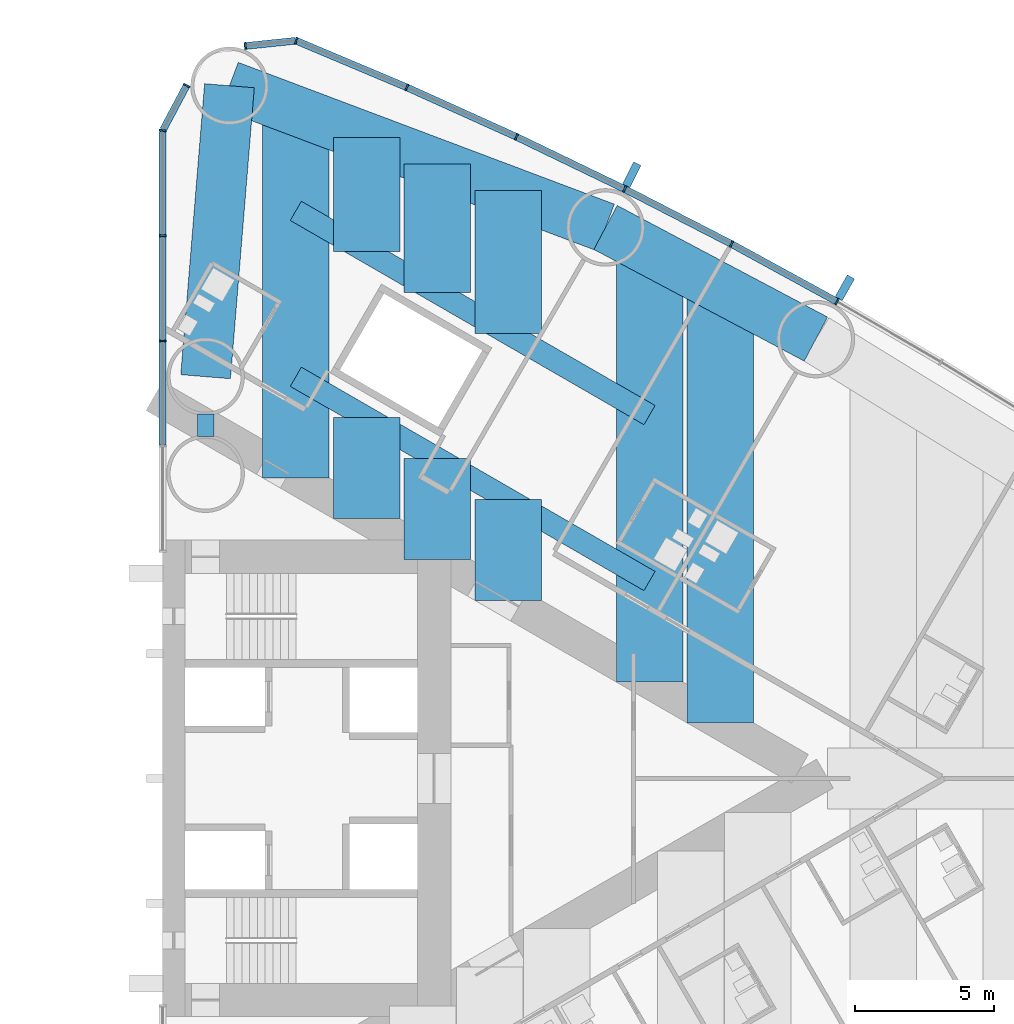
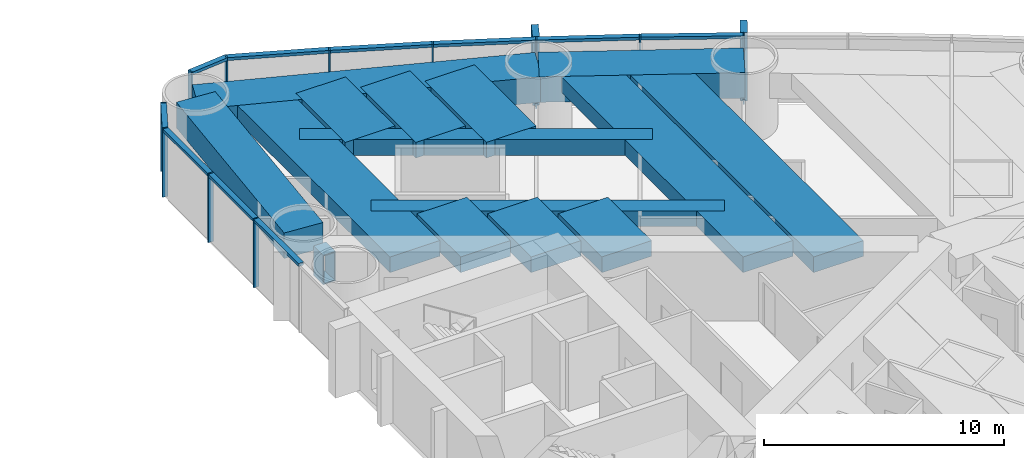
# One storey, part 7 of 19: 23 members, 15 beams, 2 elements without a shape of their own.
"""IFC4 building model written with IfcOpenShell, lengths in metres."""

import ifcopenshell
import ifcopenshell.guid

model = None  # the IFC model being written
_history = None  # IfcOwnerHistory: only IFC2X3 demands one
_inside = {}  # id of a spatial element -> (the spatial element, [elements in it])
_under = {}  # id of a project, library or spatial element -> (it, [spatial elements below it])
_declared = {}  # id of a project -> (the project, [libraries it declares])
_typed = {}  # id of a type object -> (the type object, [elements of that type])
_made_of = {}  # id of a material, layer set ... -> (it, [elements and type objects made of it])


def new_model(schema):
    """Start an empty IFC model of exactly this schema.

    Asked for "IFC4X3", IfcOpenShell would pick the latest addendum, in which some entities
    have other attributes; the version numbers below select the first issue.
    IFC2X3 requires an IfcOwnerHistory on every rooted entity: one is made here for all.
    """
    global model, _history
    if schema == "IFC4X3":
        model = ifcopenshell.file(schema_version=(4, 3, 0, 0))
    else:
        model = ifcopenshell.file(schema=schema)
    _inside.clear()
    _under.clear()
    _declared.clear()
    _typed.clear()
    _made_of.clear()
    _history = None
    if model.schema == "IFC2X3":
        org = make("IfcOrganization", Name="unknown")
        user = make(
            "IfcPersonAndOrganization",
            ThePerson=make("IfcPerson", FamilyName="unknown"),
            TheOrganization=org,
        )
        app = make(
            "IfcApplication",
            ApplicationDeveloper=org,
            Version="unknown",
            ApplicationFullName="unknown",
            ApplicationIdentifier="unknown",
        )
        _history = make(
            "IfcOwnerHistory",
            OwningUser=user,
            OwningApplication=app,
            ChangeAction="ADDED",
            CreationDate=0,
        )
    return model


def make(cls, **values):
    """One entity of the class cls with the attributes given. An attribute that is None is left unset."""
    return model.create_entity(
        cls, **{name: value for name, value in values.items() if value is not None}
    )


def rooted(cls, **values):
    """An entity with a GlobalId (a new one), such as an element, a storey or a relation."""
    return make(cls, GlobalId=ifcopenshell.guid.new(), OwnerHistory=_history, **values)


def si_unit(unit_type, name, prefix=None):
    """IfcSIUnit, for example si_unit("LENGTHUNIT", "METRE", prefix="MILLI")."""
    return make("IfcSIUnit", UnitType=unit_type, Prefix=prefix, Name=name)


def assignment(units):
    """IfcUnitAssignment: the units of a project."""
    return None if units is None else make("IfcUnitAssignment", Units=units)


def point(xyz):
    """IfcCartesianPoint."""
    return None if xyz is None else make("IfcCartesianPoint", Coordinates=xyz)


def direction(xyz):
    """IfcDirection."""
    return None if xyz is None else make("IfcDirection", DirectionRatios=xyz)


def frame(location, z_axis=None, x_axis=None):
    """IfcAxis2Placement3D, a coordinate frame: its origin and axes. An axis left out is left unset."""
    return make(
        "IfcAxis2Placement3D",
        Location=point(location),
        Axis=direction(z_axis),
        RefDirection=direction(x_axis),
    )


def frame_2d(location, x_axis=None):
    """IfcAxis2Placement2D, a coordinate frame in the plane: its origin and x axis."""
    return make(
        "IfcAxis2Placement2D", Location=point(location), RefDirection=direction(x_axis)
    )


def origin():
    """The frame at (0, 0, 0) with its axes left unset."""
    return frame((0.0, 0.0, 0.0))


def origin_2d():
    """The frame at (0, 0) in the plane with its x axis left unset."""
    return frame_2d((0.0, 0.0))


def place(relative_to, where):
    """IfcLocalPlacement: puts the frame where relative to a parent placement (None: the world)."""
    return make(
        "IfcLocalPlacement", PlacementRelTo=relative_to, RelativePlacement=where
    )


def context(
    kind, dimensions, precision=None, world=None, true_north=None, identifier=None
):
    """IfcGeometricRepresentationContext, for example the 3D "Model" context."""
    return make(
        "IfcGeometricRepresentationContext",
        ContextIdentifier=identifier,
        ContextType=kind,
        CoordinateSpaceDimension=dimensions,
        Precision=precision,
        WorldCoordinateSystem=world,
        TrueNorth=true_north,
    )


def subcontext(parent, identifier, kind, view, scale=None):
    """IfcGeometricRepresentationSubContext, for example "Body" below "Model"."""
    return make(
        "IfcGeometricRepresentationSubContext",
        ContextIdentifier=identifier,
        ContextType=kind,
        ParentContext=parent,
        TargetScale=scale,
        TargetView=view,
    )


def project(units=None, contexts=None):
    """IfcProject with its units and contexts."""
    return rooted(
        "IfcProject",
        Name="project",
        RepresentationContexts=contexts,
        UnitsInContext=assignment(units),
    )


def spatial(cls, under=None, at=None, **own):
    """A site, building, storey or space (cls), placed at a placement, below another one or the project."""
    s = rooted(cls, ObjectPlacement=at, **own)
    if under is not None:
        _under.setdefault(under.id(), (under, []))[1].append(s)
    return s


def profile(cls, at=None, kind="AREA", **sizes):
    """A parametric profile (cls). Its sizes go by their IFC names, for example OverallWidth=200.0."""
    return make(cls, ProfileType=kind, Position=at, **sizes)


def rectangle(**sizes):
    """IfcRectangleProfileDef."""
    return profile("IfcRectangleProfileDef", **sizes)


def hollow_rectangle(**sizes):
    """IfcRectangleHollowProfileDef."""
    return profile("IfcRectangleHollowProfileDef", **sizes)


def extrude(swept, where, along, depth):
    """IfcExtrudedAreaSolid: the profile swept, set in the frame where, extruded along a direction by depth."""
    return make(
        "IfcExtrudedAreaSolid",
        SweptArea=swept,
        Position=where,
        ExtrudedDirection=direction(along),
        Depth=depth,
    )


def shape(context_of_items, identifier, shape_type, items):
    """IfcShapeRepresentation: the items that make up one representation, for example the "Body"."""
    return make(
        "IfcShapeRepresentation",
        ContextOfItems=context_of_items,
        RepresentationIdentifier=identifier,
        RepresentationType=shape_type,
        Items=items,
    )


def material(Name=None, Category=None):
    """IfcMaterial."""
    return make("IfcMaterial", Name=Name, Category=Category)


def material_profile(
    of_material, cross_section, Name=None, Category=None, Priority=None
):
    """IfcMaterialProfile: a cross section and its material."""
    return make(
        "IfcMaterialProfile",
        Name=Name,
        Material=of_material,
        Profile=cross_section,
        Priority=Priority,
        Category=Category,
    )


def profile_set(profiles, Name=None, composite=None):
    """IfcMaterialProfileSet."""
    return make(
        "IfcMaterialProfileSet",
        Name=Name,
        MaterialProfiles=profiles,
        CompositeProfile=composite,
    )


def made_of(thing, what):
    """Note that an element or type object is made of a material, layer set ...; save() writes the relation."""
    if what is not None:
        _made_of.setdefault(what.id(), (what, []))[1].append(thing)
    return thing


def type_object(cls, material=None, **own):
    """A type object (cls), such as IfcWallType, which elements share."""
    return made_of(rooted(cls, **own), material)


def element(
    cls,
    number,
    at=None,
    inside=None,
    cuts=None,
    type_object=None,
    material=None,
    context=None,
    identifier="Body",
    shape_type=None,
    held_by="IfcProductDefinitionShape",
    body=None,
    shapes=None,
    **own,
):
    """One element of the class cls, such as IfcWall. Its Tag is "e" and its number.

    at: its placement. inside: the storey or other place that contains it. cuts: it is an
    opening in that element (IfcRelVoidsElement). A single representation is given by context,
    identifier, shape_type and body (its items); several are given by shapes. held_by: the class
    of the entity that holds the representations. save() writes the other relations.
    """
    e = rooted(cls, Tag="e%d" % number, ObjectPlacement=at, **own)
    if body is not None:
        shapes = [shape(context, identifier, shape_type, body)]
    if shapes is not None:
        e.Representation = make(held_by, Representations=shapes)
    if inside is not None:
        _inside.setdefault(inside.id(), (inside, []))[1].append(e)
    if cuts is not None:
        rooted(
            "IfcRelVoidsElement", RelatingBuildingElement=cuts, RelatedOpeningElement=e
        )
    if type_object is not None:
        _typed.setdefault(type_object.id(), (type_object, []))[1].append(e)
    return made_of(e, material)


def aggregate(whole, parts):
    """IfcRelAggregates: a whole, such as a stair, and the parts it consists of."""
    return rooted("IfcRelAggregates", RelatingObject=whole, RelatedObjects=parts)


def save(model, path):
    """Write the relations noted so far, then the file.

    IfcRelAggregates (storeys below a building ...), IfcRelContainedInSpatialStructure (elements
    in a storey), IfcRelDefinesByType, IfcRelAssociatesMaterial and IfcRelDeclares: one each for
    every whole, place, type object, material and project.
    """
    for whole, parts in _under.values():
        aggregate(whole, parts)
    for where, things in _inside.values():
        rooted(
            "IfcRelContainedInSpatialStructure",
            RelatedElements=things,
            RelatingStructure=where,
        )
    for kind, things in _typed.values():
        rooted("IfcRelDefinesByType", RelatedObjects=things, RelatingType=kind)
    for what, things in _made_of.values():
        rooted("IfcRelAssociatesMaterial", RelatedObjects=things, RelatingMaterial=what)
    for by, libraries in _declared.values():
        rooted("IfcRelDeclares", RelatingContext=by, RelatedDefinitions=libraries)
    model.write(path)


model = new_model("IFC4")

# Units and contexts
model_context = context("Model", 3, precision=1e-05, world=origin(), true_north=direction((0.0, 1.0)))
body_context = subcontext(model_context, "Body", "Model", "MODEL_VIEW")
ifc_project = project(units=[si_unit("LENGTHUNIT", "METRE"), si_unit("AREAUNIT", "SQUARE_METRE"), si_unit("VOLUMEUNIT", "CUBIC_METRE"), si_unit("PLANEANGLEUNIT", "RADIAN"), si_unit("MASSUNIT", "GRAM", prefix="KILO")], contexts=[model_context])

# Site, building, storey
site_placement = place(None, origin())
site = spatial("IfcSite", under=ifc_project, at=site_placement, CompositionType="ELEMENT")
building_placement = place(site_placement, origin())
building = spatial("IfcBuilding", under=site, at=building_placement, Name="Lancet Gate Hotel", CompositionType="ELEMENT")
storey_placement = place(building_placement, frame((0.0, 0.0, 67.0)))
storey = spatial("IfcBuildingStorey", under=building, at=storey_placement, Name="L17", CompositionType="ELEMENT", Elevation=67.0)

# Curtain wall, members
ifc_material_1 = material(Name="Aluminium curtain wall", Category="aluminium")
curtain_wall_type = type_object("IfcCurtainWallType", Name="Tower unitised curtain wall", PredefinedType="USERDEFINED", material=ifc_material_1)
curtain_wall_1_placement = place(storey_placement, origin())
curtain_wall_1 = element("IfcCurtainWall", 1, at=curtain_wall_1_placement, inside=storey, type_object=curtain_wall_type, Name="T2 L17 curtain wall 3", ObjectType="UNITISED CURTAIN WALL", PredefinedType="USERDEFINED")
ifc_material_2 = material(Name="Aluminium mullion", Category="aluminium")
ifc_material_profile_1 = material_profile(ifc_material_2, rectangle(XDim=0.06494140625, YDim=0.25, at=origin_2d()), Name="MULLION 65x250")
ifc_profile_set_1 = profile_set([ifc_material_profile_1], Name="Aluminium mullion")
member_type_1 = type_object("IfcMemberType", Name="Aluminium mullion 65x250", PredefinedType="MULLION", material=ifc_profile_set_1)
member_1_placement = place(storey_placement, frame((51.838623046875, 17.208740234375, 0.0), z_axis=(0.0, 0.0, 1.0), x_axis=(-0.871190450382, 0.490945209941, 0.0)))
member_1 = element("IfcMember", 2, at=member_1_placement, type_object=member_type_1, Name="T2 L17 curtain wall 3 mullion 8", PredefinedType="MULLION", context=body_context, shape_type="SweptSolid", body=[
    extrude(rectangle(XDim=0.06494140625, YDim=0.25, at=origin_2d()), origin(), (0.0, 0.0, 1.0), 3.5),
])
member_2_placement = place(storey_placement, frame((48.03271484375, 19.2900390625, 0.0), z_axis=(0.0, 0.0, 1.0), x_axis=(-0.88340346743, 0.468613181347, 0.0)))
member_2 = element("IfcMember", 3, at=member_2_placement, type_object=member_type_1, Name="T2 L17 curtain wall 3 mullion 9", PredefinedType="MULLION", context=body_context, shape_type="SweptSolid", body=[
    extrude(rectangle(XDim=0.06494140625, YDim=0.25, at=origin_2d()), origin(), (0.0, 0.0, 1.0), 3.5),
])
member_3_placement = place(storey_placement, frame((44.17529296875, 21.273681640625, 0.0), z_axis=(0.0, 0.0, 1.0), x_axis=(-0.895044147438, 0.445977548917, 0.0)))
member_3 = element("IfcMember", 4, at=member_3_placement, type_object=member_type_1, Name="T2 L17 curtain wall 3 mullion 10", PredefinedType="MULLION", context=body_context, shape_type="SweptSolid", body=[
    extrude(rectangle(XDim=0.06494140625, YDim=0.25, at=origin_2d()), origin(), (0.0, 0.0, 1.0), 3.5),
])
member_4_placement = place(storey_placement, frame((40.2685546875, 23.15869140625, 0.0), z_axis=(0.0, 0.0, 1.0), x_axis=(-0.906104948671, 0.423052977762, 0.0)))
member_4 = element("IfcMember", 5, at=member_4_placement, type_object=member_type_1, Name="T2 L17 curtain wall 3 mullion 11", PredefinedType="MULLION", context=body_context, shape_type="SweptSolid", body=[
    extrude(rectangle(XDim=0.06494140625, YDim=0.25, at=origin_2d()), origin(), (0.0, 0.0, 1.0), 3.5),
])
member_5_placement = place(storey_placement, frame((36.31494140625, 24.943603515625, 0.0), z_axis=(0.0, 0.0, 1.0), x_axis=(-0.916578705089, 0.399854320193, 0.0)))
member_5 = element("IfcMember", 6, at=member_5_placement, type_object=member_type_1, Name="T2 L17 curtain wall 3 mullion 12", PredefinedType="MULLION", context=body_context, shape_type="SweptSolid", body=[
    extrude(rectangle(XDim=0.06494140625, YDim=0.25, at=origin_2d()), origin(), (0.0, 0.0, 1.0), 3.5),
])
member_6_placement = place(storey_placement, frame((32.3173828125, 26.62744140625, 0.0), z_axis=(0.0, 0.0, 1.0), x_axis=(-0.968721492963, 0.248150496819, 0.0)))
member_6 = element("IfcMember", 7, at=member_6_placement, type_object=member_type_1, Name="T2 L17 curtain wall 3 mullion 13", PredefinedType="MULLION", context=body_context, shape_type="SweptSolid", body=[
    extrude(rectangle(XDim=0.06494140625, YDim=0.25, at=origin_2d()), origin(), (0.0, 0.0, 1.0), 3.5),
])
member_7_placement = place(storey_placement, frame((30.48388671875, 26.4375, 0.0), z_axis=(0.0, 0.0, 1.0), x_axis=(-0.994672262412, -0.10308778001, 0.0)))
member_7 = element("IfcMember", 8, at=member_7_placement, type_object=member_type_1, Name="T2 L17 curtain wall 3 mullion 14", PredefinedType="MULLION", context=body_context, shape_type="SweptSolid", body=[
    extrude(rectangle(XDim=0.06494140625, YDim=0.25, at=origin_2d()), origin(), (0.0, 0.0, 1.0), 3.5),
])

curtain_wall_2_placement = place(storey_placement, origin())
curtain_wall_2 = element("IfcCurtainWall", 9, at=curtain_wall_2_placement, inside=storey, type_object=curtain_wall_type, Name="T2 L17 curtain wall 4", ObjectType="UNITISED CURTAIN WALL", PredefinedType="USERDEFINED")
member_8_placement = place(storey_placement, frame((28.366455078125, 25.012451171875, 0.0), z_axis=(0.0, 0.0, 1.0), x_axis=(-0.469897827284, -0.882720811987, 0.0)))
member_8 = element("IfcMember", 10, at=member_8_placement, type_object=member_type_1, Name="T2 L17 curtain wall 4 mullion 1", PredefinedType="MULLION", context=body_context, shape_type="SweptSolid", body=[
    extrude(rectangle(XDim=0.06494140625, YDim=0.25, at=origin_2d()), origin(), (0.0, 0.0, 1.0), 3.5),
])
member_9_placement = place(storey_placement, frame((27.5, 23.384765625, 0.0), z_axis=(0.0, 0.0, 1.0), x_axis=(-0.157751691459, -0.987478811844, 0.0)))
member_9 = element("IfcMember", 11, at=member_9_placement, type_object=member_type_1, Name="T2 L17 curtain wall 4 mullion 2", PredefinedType="MULLION", context=body_context, shape_type="SweptSolid", body=[
    extrude(rectangle(XDim=0.06494140625, YDim=0.25, at=origin_2d()), origin(), (0.0, 0.0, 1.0), 3.5),
])
member_10_placement = place(storey_placement, frame((27.5, 19.588623046875, 0.0), z_axis=(0.0, 0.0, 1.0), x_axis=(0.0, -1.0, 0.0)))
member_10 = element("IfcMember", 12, at=member_10_placement, type_object=member_type_1, Name="T2 L17 curtain wall 4 mullion 3", PredefinedType="MULLION", context=body_context, shape_type="SweptSolid", body=[
    extrude(rectangle(XDim=0.06494140625, YDim=0.25, at=origin_2d()), origin(), (0.0, 0.0, 1.0), 3.5),
])
member_11_placement = place(storey_placement, frame((27.5, 15.79248046875, 0.0), z_axis=(0.0, 0.0, 1.0), x_axis=(0.0, -1.0, 0.0)))
member_11 = element("IfcMember", 13, at=member_11_placement, type_object=member_type_1, Name="T2 L17 curtain wall 4 mullion 4", PredefinedType="MULLION", context=body_context, shape_type="SweptSolid", body=[
    extrude(rectangle(XDim=0.06494140625, YDim=0.25, at=origin_2d()), origin(), (0.0, 0.0, 1.0), 3.5),
])

# Member
ifc_material_3 = material(Name="Aluminium transom", Category="aluminium")
ifc_material_profile_2 = material_profile(ifc_material_3, rectangle(XDim=0.25, YDim=0.14990234375, at=origin_2d()), Name="TRANSOM 250x150")
ifc_profile_set_2 = profile_set([ifc_material_profile_2], Name="Aluminium transom")
member_type_2 = type_object("IfcMemberType", Name="Aluminium transom 250x150", PredefinedType="USERDEFINED", material=ifc_profile_set_2)
member_12_placement = place(storey_placement, frame((51.81005859375, 17.224365234375, 3.425048828125), z_axis=(-0.877377528879, 0.479800658417, 0.0), x_axis=(-0.479800658417, -0.877377528879, 0.0)))
member_12 = element("IfcMember", 14, at=member_12_placement, type_object=member_type_2, Name="T2 L17 curtain wall 3 transom 8", ObjectType="TRANSOM", PredefinedType="USERDEFINED", context=body_context, shape_type="SweptSolid", body=[
    extrude(rectangle(XDim=0.25, YDim=0.14990234375, at=origin_2d()), origin(), (0.0, 0.0, 1.0), 4.272705078125),
])

member_13_placement = place(storey_placement, frame((48.00390625, 19.304931640625, 3.425048828125), z_axis=(-0.88929576978, 0.457332520002, 0.0), x_axis=(-0.457332520002, -0.88929576978, 0.0)))
member_13 = element("IfcMember", 15, at=member_13_placement, type_object=member_type_2, Name="T2 L17 curtain wall 3 transom 9", ObjectType="TRANSOM", PredefinedType="USERDEFINED", context=body_context, shape_type="SweptSolid", body=[
    extrude(rectangle(XDim=0.25, YDim=0.14990234375, at=origin_2d()), origin(), (0.0, 0.0, 1.0), 4.272705078125),
])

member_14_placement = place(storey_placement, frame((44.14599609375, 21.287841796875, 3.425048828125), z_axis=(-0.900646499888, 0.434552508035, 0.0), x_axis=(-0.434552508035, -0.900646499888, 0.0)))
member_14 = element("IfcMember", 16, at=member_14_placement, type_object=member_type_2, Name="T2 L17 curtain wall 3 transom 10", ObjectType="TRANSOM", PredefinedType="USERDEFINED", context=body_context, shape_type="SweptSolid", body=[
    extrude(rectangle(XDim=0.25, YDim=0.14990234375, at=origin_2d()), origin(), (0.0, 0.0, 1.0), 4.272705078125),
])

member_15_placement = place(storey_placement, frame((40.23876953125, 23.172119140625, 3.425048828125), z_axis=(-0.911396871737, 0.411528543589, 0.0), x_axis=(-0.411528543589, -0.911396871737, 0.0)))
member_15 = element("IfcMember", 17, at=member_15_placement, type_object=member_type_2, Name="T2 L17 curtain wall 3 transom 11", ObjectType="TRANSOM", PredefinedType="USERDEFINED", context=body_context, shape_type="SweptSolid", body=[
    extrude(rectangle(XDim=0.25, YDim=0.14990234375, at=origin_2d()), origin(), (0.0, 0.0, 1.0), 4.272705078125),
])

member_16_placement = place(storey_placement, frame((36.28515625, 24.956298828125, 3.425048828125), z_axis=(-0.92159772617, 0.388146404233, 0.0), x_axis=(-0.388146404233, -0.92159772617, 0.0)))
member_16 = element("IfcMember", 18, at=member_16_placement, type_object=member_type_2, Name="T2 L17 curtain wall 3 transom 12", ObjectType="TRANSOM", PredefinedType="USERDEFINED", context=body_context, shape_type="SweptSolid", body=[
    extrude(rectangle(XDim=0.25, YDim=0.14990234375, at=origin_2d()), origin(), (0.0, 0.0, 1.0), 4.272705078125),
])

member_17_placement = place(storey_placement, frame((32.28515625, 26.6240234375, 3.425048828125), z_axis=(-0.994670452051, -0.103105246306, 0.0), x_axis=(0.103105246306, -0.994670452051, 0.0)))
member_17 = element("IfcMember", 19, at=member_17_placement, type_object=member_type_2, Name="T2 L17 curtain wall 3 transom 13", ObjectType="TRANSOM", PredefinedType="USERDEFINED", context=body_context, shape_type="SweptSolid", body=[
    extrude(rectangle(XDim=0.25, YDim=0.14990234375, at=origin_2d()), origin(), (0.0, 0.0, 1.0), 1.7783203125),
])

member_18_placement = place(storey_placement, frame((28.351318359375, 24.98388671875, 3.425048828125), z_axis=(-0.469904276347, -0.882717378933, 0.0), x_axis=(0.882717378933, -0.469904276347, 0.0)))
member_18 = element("IfcMember", 20, at=member_18_placement, type_object=member_type_2, Name="T2 L17 curtain wall 4 transom 1", ObjectType="TRANSOM", PredefinedType="USERDEFINED", context=body_context, shape_type="SweptSolid", body=[
    extrude(rectangle(XDim=0.25, YDim=0.14990234375, at=origin_2d()), origin(), (0.0, 0.0, 1.0), 1.779052734375),
])

member_19_placement = place(storey_placement, frame((27.5, 23.352294921875, 3.425048828125), z_axis=(0.0, -1.0, 0.0), x_axis=(1.0, 0.0, 0.0)))
member_19 = element("IfcMember", 21, at=member_19_placement, type_object=member_type_2, Name="T2 L17 curtain wall 4 transom 2", ObjectType="TRANSOM", PredefinedType="USERDEFINED", context=body_context, shape_type="SweptSolid", body=[
    extrude(rectangle(XDim=0.25, YDim=0.14990234375, at=origin_2d()), origin(), (0.0, 0.0, 1.0), 3.731201171875),
])

member_20_placement = place(storey_placement, frame((27.5, 19.55615234375, 3.425048828125), z_axis=(0.0, -1.0, 0.0), x_axis=(1.0, 0.0, 0.0)))
member_20 = element("IfcMember", 22, at=member_20_placement, type_object=member_type_2, Name="T2 L17 curtain wall 4 transom 3", ObjectType="TRANSOM", PredefinedType="USERDEFINED", context=body_context, shape_type="SweptSolid", body=[
    extrude(rectangle(XDim=0.25, YDim=0.14990234375, at=origin_2d()), origin(), (0.0, 0.0, 1.0), 3.731201171875),
])

member_21_placement = place(storey_placement, frame((27.5, 15.760009765625, 3.425048828125), z_axis=(0.0, -1.0, 0.0), x_axis=(1.0, 0.0, 0.0)))
member_21 = element("IfcMember", 23, at=member_21_placement, type_object=member_type_2, Name="T2 L17 curtain wall 4 transom 4", ObjectType="TRANSOM", PredefinedType="USERDEFINED", context=body_context, shape_type="SweptSolid", body=[
    extrude(rectangle(XDim=0.25, YDim=0.14990234375, at=origin_2d()), origin(), (0.0, 0.0, 1.0), 3.731201171875),
])

aggregate(curtain_wall_2, [member_8, member_9, member_10, member_11, member_18, member_19, member_20, member_21])

# Beams
ifc_material_4 = material(Name="Concrete C50/60", Category="concrete")
ifc_material_profile_3 = material_profile(ifc_material_4, rectangle(XDim=1.800048828125, YDim=1.300048828125, at=origin_2d()), Name="RC 1800x1300")
ifc_profile_set_3 = profile_set([ifc_material_profile_3], Name="Concrete C50/60")
beam_type_1 = type_object("IfcBeamType", Name="Edge beam RC 1800x1300", PredefinedType="SPANDREL", material=ifc_profile_set_3)
beam_1_placement = place(storey_placement, frame((51.07763671875, 15.8583984375, 2.60009765625), z_axis=(-0.883403493655, 0.46861313191, 0.0), x_axis=(-0.46861313191, -0.883403493655, 0.0)))
element("IfcBeam", 24, at=beam_1_placement, inside=storey, type_object=beam_type_1, Name="T2 edge beam EB1 L17", PredefinedType="SPANDREL", context=body_context, shape_type="SweptSolid", body=[
    extrude(rectangle(XDim=1.800048828125, YDim=1.300048828125, at=origin_2d()), origin(), (0.0, 0.0, 1.0), 8.595703125),
])
beam_2_placement = place(storey_placement, frame((43.484130859375, 19.886474609375, 2.60009765625), z_axis=(-0.935736448066, 0.352700013836, 0.0), x_axis=(-0.352700013836, -0.935736448066, 0.0)))
element("IfcBeam", 25, at=beam_2_placement, inside=storey, type_object=beam_type_1, Name="T2 edge beam EB1 L17", PredefinedType="SPANDREL", context=body_context, shape_type="SweptSolid", body=[
    extrude(rectangle(XDim=1.800048828125, YDim=1.300048828125, at=origin_2d()), origin(), (0.0, 0.0, 1.0), 14.505126953125),
])
beam_3_placement = place(storey_placement, frame((29.050048828125, 14.5, 2.60009765625), z_axis=(0.081714744052, 0.996655758326, 0.0), x_axis=(-0.996655758326, 0.081714744052, 0.0)))
element("IfcBeam", 26, at=beam_3_placement, inside=storey, type_object=beam_type_1, Name="T2 edge beam EB1 L17", PredefinedType="SPANDREL", context=body_context, shape_type="SweptSolid", body=[
    extrude(rectangle(XDim=1.800048828125, YDim=1.300048828125, at=origin_2d()), origin(), (0.0, 0.0, 1.0), 10.53759765625),
])

# Member
ifc_material_5 = material(Name="Precast concrete C50/60", Category="concrete")
ifc_material_profile_4 = material_profile(ifc_material_5, rectangle(XDim=0.300048828125, YDim=0.89990234375, at=origin_2d()), Name="FIN 300x900")
ifc_profile_set_4 = profile_set([ifc_material_profile_4], Name="Precast concrete C50/60")
member_type_3 = type_object("IfcMemberType", Name="Exposed concrete fin 300x900", PredefinedType="USERDEFINED", material=ifc_profile_set_4)
member_22_placement = place(storey_placement, frame((52.120849609375, 17.709716796875, 0.0), z_axis=(0.0, 0.0, 1.0), x_axis=(-0.871190450382, 0.490945209941, 0.0)))
member_22 = element("IfcMember", 27, at=member_22_placement, type_object=member_type_3, Name="T2 L17 curtain wall 3 fin 8", ObjectType="FIN", PredefinedType="USERDEFINED", context=body_context, shape_type="SweptSolid", body=[
    extrude(rectangle(XDim=0.300048828125, YDim=0.89990234375, at=origin_2d()), origin(), (0.0, 0.0, 1.0), 3.5),
])

member_23_placement = place(storey_placement, frame((44.431640625, 21.788330078125, 0.0), z_axis=(0.0, 0.0, 1.0), x_axis=(-0.895044147438, 0.445977548917, 0.0)))
member_23 = element("IfcMember", 28, at=member_23_placement, type_object=member_type_3, Name="T2 L17 curtain wall 3 fin 10", ObjectType="FIN", PredefinedType="USERDEFINED", context=body_context, shape_type="SweptSolid", body=[
    extrude(rectangle(XDim=0.300048828125, YDim=0.89990234375, at=origin_2d()), origin(), (0.0, 0.0, 1.0), 3.5),
])

aggregate(curtain_wall_1, [member_1, member_22, member_2, member_3, member_23, member_4, member_5, member_6, member_7, member_12, member_13, member_14, member_15, member_16, member_17])

# Beams
ifc_material_6 = material(Name="Concrete C50/60", Category="concrete")
ifc_material_profile_5 = material_profile(ifc_material_6, rectangle(XDim=2.39990234375, YDim=0.800048828125, at=origin_2d()), Name="RC 2400x800")
ifc_profile_set_5 = profile_set([ifc_material_profile_5], Name="Concrete C50/60")
beam_type_2 = type_object("IfcBeamType", Name="Floor beam RC 2400x800", PredefinedType="BEAM", material=ifc_profile_set_5)
beam_4_placement = place(storey_placement, frame((32.306396484375, 10.851806640625, 2.85009765625), z_axis=(0.0, 1.0, 0.0), x_axis=(-1.0, 0.0, 0.0)))
element("IfcBeam", 29, at=beam_4_placement, inside=storey, type_object=beam_type_2, Name="T2 floor beam F04N L17", PredefinedType="BEAM", context=body_context, shape_type="SweptSolid", body=[
    extrude(rectangle(XDim=2.39990234375, YDim=0.800048828125, at=origin_2d()), origin(), (0.0, 0.0, 1.0), 13.247802734375),
])
beam_5_placement = place(storey_placement, frame((45.072265625, 3.4814453125, 2.85009765625), z_axis=(0.0, 1.0, 0.0), x_axis=(-1.0, 0.0, 0.0)))
element("IfcBeam", 30, at=beam_5_placement, inside=storey, type_object=beam_type_2, Name="T2 floor beam F12N L17", PredefinedType="BEAM", context=body_context, shape_type="SweptSolid", body=[
    extrude(rectangle(XDim=2.39990234375, YDim=0.800048828125, at=origin_2d()), origin(), (0.0, 0.0, 1.0), 15.5625),
])
beam_6_placement = place(storey_placement, frame((47.62548828125, 2.00732421875, 2.85009765625), z_axis=(0.0, 1.0, 0.0), x_axis=(-1.0, 0.0, 0.0)))
element("IfcBeam", 31, at=beam_6_placement, inside=storey, type_object=beam_type_2, Name="T2 floor beam F14N L17", PredefinedType="BEAM", context=body_context, shape_type="SweptSolid", body=[
    extrude(rectangle(XDim=2.39990234375, YDim=0.800048828125, at=origin_2d()), origin(), (0.0, 0.0, 1.0), 15.68212890625),
])
beam_7_placement = place(storey_placement, frame((34.859619140625, 9.377685546875, 2.85009765625), z_axis=(0.0, 1.0, 0.0), x_axis=(-1.0, 0.0, 0.0)))
element("IfcBeam", 32, at=beam_7_placement, inside=storey, type_object=beam_type_2, Name="T2 floor beam F06NA L17", PredefinedType="BEAM", context=body_context, shape_type="SweptSolid", body=[
    extrude(rectangle(XDim=2.39990234375, YDim=0.800048828125, at=origin_2d()), origin(), (0.0, 0.0, 1.0), 3.645751953125),
])
beam_8_placement = place(storey_placement, frame((34.859619140625, 19.011474609375, 2.85009765625), z_axis=(0.0, 1.0, 0.0), x_axis=(-1.0, 0.0, 0.0)))
element("IfcBeam", 33, at=beam_8_placement, inside=storey, type_object=beam_type_2, Name="T2 floor beam F06NB L17", PredefinedType="BEAM", context=body_context, shape_type="SweptSolid", body=[
    extrude(rectangle(XDim=2.39990234375, YDim=0.800048828125, at=origin_2d()), origin(), (0.0, 0.0, 1.0), 4.125732421875),
])
beam_9_placement = place(storey_placement, frame((37.412841796875, 7.903564453125, 2.85009765625), z_axis=(0.0, 1.0, 0.0), x_axis=(-1.0, 0.0, 0.0)))
element("IfcBeam", 34, at=beam_9_placement, inside=storey, type_object=beam_type_2, Name="T2 floor beam F08NA L17", PredefinedType="BEAM", context=body_context, shape_type="SweptSolid", body=[
    extrude(rectangle(XDim=2.39990234375, YDim=0.800048828125, at=origin_2d()), origin(), (0.0, 0.0, 1.0), 3.6455078125),
])
beam_10_placement = place(storey_placement, frame((37.412841796875, 17.537109375, 2.85009765625), z_axis=(0.0, 1.0, 0.0), x_axis=(-1.0, 0.0, 0.0)))
element("IfcBeam", 35, at=beam_10_placement, inside=storey, type_object=beam_type_2, Name="T2 floor beam F08NB L17", PredefinedType="BEAM", context=body_context, shape_type="SweptSolid", body=[
    extrude(rectangle(XDim=2.39990234375, YDim=0.800048828125, at=origin_2d()), origin(), (0.0, 0.0, 1.0), 4.6376953125),
])
beam_11_placement = place(storey_placement, frame((39.9658203125, 6.429443359375, 2.85009765625), z_axis=(0.0, 1.0, 0.0), x_axis=(-1.0, 0.0, 0.0)))
element("IfcBeam", 36, at=beam_11_placement, inside=storey, type_object=beam_type_2, Name="T2 floor beam F10NA L17", PredefinedType="BEAM", context=body_context, shape_type="SweptSolid", body=[
    extrude(rectangle(XDim=2.39990234375, YDim=0.800048828125, at=origin_2d()), origin(), (0.0, 0.0, 1.0), 3.64501953125),
])
beam_12_placement = place(storey_placement, frame((39.9658203125, 16.062744140625, 2.85009765625), z_axis=(0.0, 1.0, 0.0), x_axis=(-1.0, 0.0, 0.0)))
element("IfcBeam", 37, at=beam_12_placement, inside=storey, type_object=beam_type_2, Name="T2 floor beam F10NB L17", PredefinedType="BEAM", context=body_context, shape_type="SweptSolid", body=[
    extrude(rectangle(XDim=2.39990234375, YDim=0.800048828125, at=origin_2d()), origin(), (0.0, 0.0, 1.0), 5.14990234375),
])
ifc_material_7 = material(Name="Steel S460QL", Category="steel")
ifc_material_profile_6 = material_profile(ifc_material_7, hollow_rectangle(XDim=0.60009765625, YDim=1.5, WallThickness=0.050048828125, at=origin_2d()), Name="BOX 1500x600x50")
ifc_profile_set_6 = profile_set([ifc_material_profile_6], Name="Steel S460QL")
beam_type_3 = type_object("IfcBeamType", Name="Inner-face link beam BOX 1500x600x50", PredefinedType="BEAM", material=ifc_profile_set_6)
beam_13_placement = place(storey_placement, frame((29.050048828125, 12.35009765625, 2.5), z_axis=(0.0, 1.0, 0.0), x_axis=(-1.0, 0.0, 0.0)))
element("IfcBeam", 38, at=beam_13_placement, inside=storey, type_object=beam_type_3, Name="T2 inner-face link beam LK1 L17", PredefinedType="BEAM", context=body_context, shape_type="SweptSolid", body=[
    extrude(hollow_rectangle(XDim=0.60009765625, YDim=1.5, WallThickness=0.050048828125, at=origin_2d()), origin(), (0.0, 0.0, 1.0), 0.7998046875),
])
ifc_material_8 = material(Name="Steel S460QL", Category="steel")
ifc_material_profile_7 = material_profile(ifc_material_8, hollow_rectangle(XDim=0.800048828125, YDim=0.800048828125, WallThickness=0.080078125, at=origin_2d()), Name="BOX 800x800x80")
ifc_profile_set_7 = profile_set([ifc_material_profile_7], Name="Steel S460QL")
beam_type_4 = type_object("IfcBeamType", Name="Trimmer beam BOX 800x800x80", PredefinedType="BEAM", material=ifc_profile_set_7)
beam_14_placement = place(storey_placement, frame((32.306396484375, 20.48583984375, 2.85009765625), z_axis=(0.86598286195, -0.500073677381, 0.0), x_axis=(0.500073677381, 0.86598286195, 0.0)))
element("IfcBeam", 39, at=beam_14_placement, inside=storey, type_object=beam_type_4, Name="T2 trimmer beam TR03N L17", PredefinedType="BEAM", context=body_context, shape_type="SweptSolid", body=[
    extrude(hollow_rectangle(XDim=0.800048828125, YDim=0.800048828125, WallThickness=0.080078125, at=origin_2d()), origin(), (0.0, 0.0, 1.0), 14.741455078125),
])
beam_15_placement = place(storey_placement, frame((32.306396484375, 14.497802734375, 2.85009765625), z_axis=(0.865975689888, -0.500086097111, 0.0), x_axis=(0.500086097111, 0.865975689888, 0.0)))
element("IfcBeam", 40, at=beam_15_placement, inside=storey, type_object=beam_type_4, Name="T2 trimmer beam TR04N L17", PredefinedType="BEAM", context=body_context, shape_type="SweptSolid", body=[
    extrude(hollow_rectangle(XDim=0.800048828125, YDim=0.800048828125, WallThickness=0.080078125, at=origin_2d()), origin(), (0.0, 0.0, 1.0), 14.74169921875),
])

save(model, "model.ifc")
